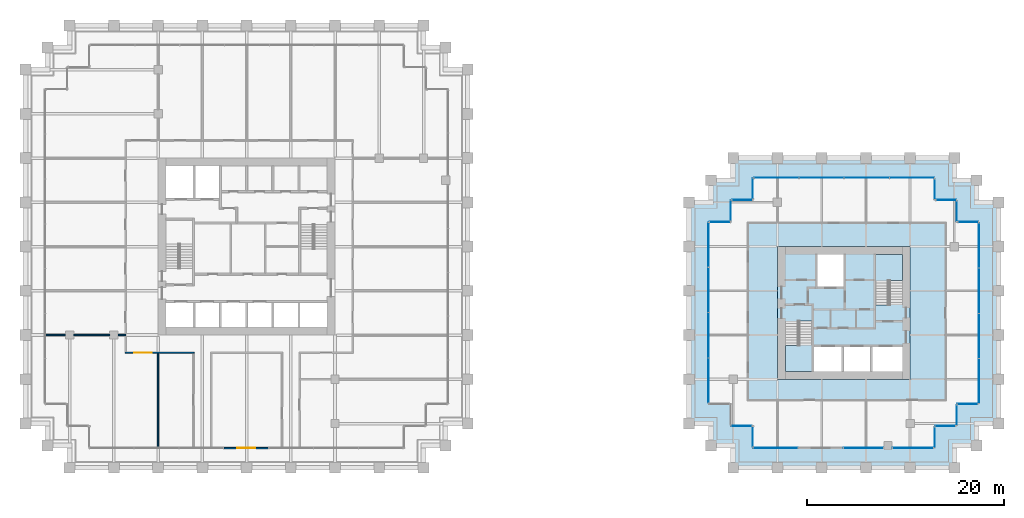
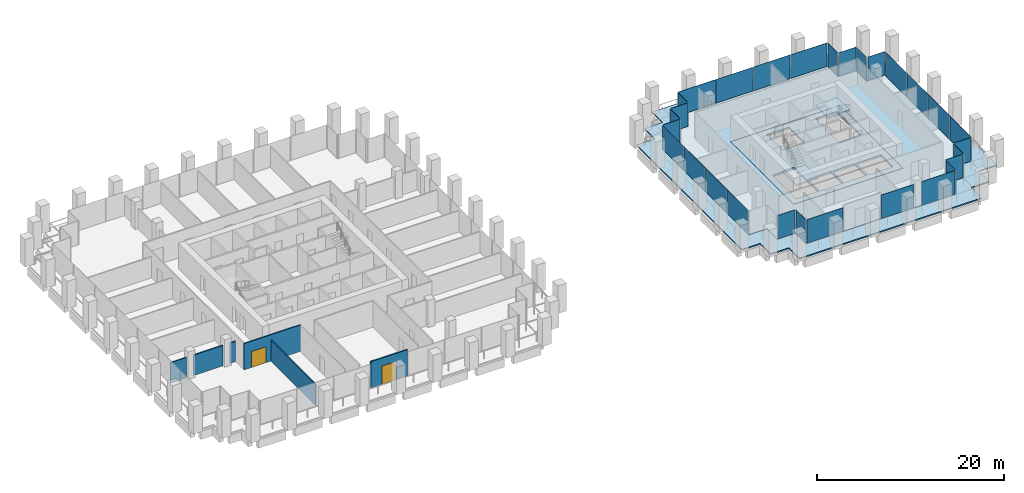
# One storey, part 49 of 56: 29 plates, 6 walls, 5 slabs, 2 doors, 2 openings, 22 elements without a shape of their own.
"""IFC4 building model written with IfcOpenShell, lengths in metres."""

from ifc_helpers import new_model, si_unit, direction, frame, frame_2d, origin, origin_2d, place, context, subcontext, project, spatial, polyline, rectangle, outline, extrude, material, layer, layer_set, type_object, element, fill, aggregate, save


model = new_model("IFC4")

# Units and contexts
model_context = context("Model", 3, precision=1e-05, world=origin(), true_north=direction((0.0, 1.0)))
body_context = subcontext(model_context, "Body", "Model", "MODEL_VIEW")
ifc_project = project(units=[si_unit("LENGTHUNIT", "METRE"), si_unit("AREAUNIT", "SQUARE_METRE"), si_unit("VOLUMEUNIT", "CUBIC_METRE"), si_unit("PLANEANGLEUNIT", "RADIAN"), si_unit("MASSUNIT", "GRAM", prefix="KILO")], contexts=[model_context])

# Site, building, storey
site_placement = place(None, origin())
site = spatial("IfcSite", under=ifc_project, at=site_placement, CompositionType="ELEMENT")
building_placement = place(site_placement, origin())
building = spatial("IfcBuilding", under=site, at=building_placement, Name="Altepetl Exchange Towers", CompositionType="ELEMENT")
storey_placement = place(building_placement, frame((0.0, 0.0, 72.60009765625)))
storey = spatial("IfcBuildingStorey", under=building, at=storey_placement, Name="L17", CompositionType="ELEMENT", Elevation=72.60009765625)

# Slabs
ifc_material_1 = material(Name="Concrete C40/50", Category="concrete")
ifc_layer_1 = layer(ifc_material_1, 0.14990234375)
ifc_layer_set_1 = layer_set([ifc_layer_1], Name="Concrete C40/50")
slab_type_1 = type_object("IfcSlabType", Name="Composite floor slab 150", PredefinedType="FLOOR", material=ifc_layer_set_1)
slab_1_placement = place(storey_placement, frame((0.0, 0.0, -0.150146484375)))
element("IfcSlab", 1, at=slab_1_placement, inside=storey, type_object=slab_type_1, Name="slab:B:L17:strip0", PredefinedType="FLOOR", context=body_context, shape_type="SweptSolid", body=[
    extrude(outline(polyline([(98.75, 54.25), (98.75, 52.0), (96.5, 52.0), (96.5, 33.5), (98.75, 33.5), (98.75, 31.25), (101.0, 31.25), (101.0, 29.0), (119.5, 29.0), (119.5, 31.25), (121.75, 31.25), (121.75, 33.5), (124.0, 33.5), (124.0, 52.0), (121.75, 52.0), (121.75, 54.25), (119.5, 54.25), (119.5, 56.5), (101.0, 56.5), (101.0, 54.25), (98.75, 54.25)]), holes=[polyline([(117.0, 49.5), (117.0, 36.0), (103.5, 36.0), (103.5, 49.5), (117.0, 49.5)])]), origin(), (0.0, 0.0, 1.0), 0.150146484375),
])
ifc_layer_2 = layer(ifc_material_1, 0.25)
ifc_layer_set_2 = layer_set([ifc_layer_2], Name="Concrete C40/50")
slab_type_2 = type_object("IfcSlabType", Name="Core floor slab 250", PredefinedType="FLOOR", material=ifc_layer_set_2)
slab_2_placement = place(storey_placement, frame((0.0, 0.0, -0.25)))
element("IfcSlab", 2, at=slab_2_placement, inside=storey, type_object=slab_type_2, Name="slab:B:L17:core0", PredefinedType="FLOOR", context=body_context, shape_type="SweptSolid", body=[
    extrude(outline(polyline([(103.5, 36.0), (117.0, 36.0), (117.0, 49.5), (103.5, 49.5), (103.5, 36.0)]), holes=[polyline([(107.199951171875, 36.800048828125), (107.199951171875, 39.300048828125), (110.032958984375, 39.300048828125), (110.032958984375, 36.800048828125), (107.199951171875, 36.800048828125)]), polyline([(110.23291015625, 39.300048828125), (112.967041015625, 39.300048828125), (112.967041015625, 36.800048828125), (110.23291015625, 36.800048828125), (110.23291015625, 39.300048828125)]), polyline([(113.1669921875, 39.300048828125), (116.199951171875, 39.300048828125), (116.199951171875, 36.800048828125), (113.1669921875, 36.800048828125), (113.1669921875, 39.300048828125)]), polyline([(107.0, 36.800048828125), (104.300048828125, 36.800048828125), (104.300048828125, 41.85009765625), (105.60009765625, 41.85009765625), (105.60009765625, 41.948974609375), (107.0, 41.948974609375), (107.0, 36.800048828125)]), polyline([(116.199951171875, 48.699951171875), (116.199951171875, 43.64990234375), (114.89990234375, 43.64990234375), (114.89990234375, 43.551025390625), (113.5, 43.551025390625), (113.5, 48.699951171875), (116.199951171875, 48.699951171875)]), polyline([(107.532958984375, 48.699951171875), (110.26708984375, 48.699951171875), (110.26708984375, 45.39990234375), (107.532958984375, 45.39990234375), (107.532958984375, 48.699951171875)])]), origin(), (0.0, 0.0, 1.0), 0.25),
])

# Curtain wall, plate
ifc_material_2 = material(Name="Aluminium 6063-T6 glazing", Category="aluminium")
curtain_wall_type = type_object("IfcCurtainWallType", Name="Loggia glazing system", PredefinedType="NOTDEFINED", material=ifc_material_2)
curtain_wall_1_placement = place(storey_placement, origin())
curtain_wall_1 = element("IfcCurtainWall", 3, at=curtain_wall_1_placement, inside=storey, type_object=curtain_wall_type, Name="CW1 run", PredefinedType="NOTDEFINED")
ifc_material_3 = material(Name="Glass 6-16-6 low emissivity", Category="glass")
ifc_layer_3 = layer(ifc_material_3, 0.028076171875)
ifc_layer_set_3 = layer_set([ifc_layer_3], Name="Glass 6-16-6 low emissivity")
plate_type = type_object("IfcPlateType", Name="Glass panel 28 double glazed", PredefinedType="CURTAIN_PANEL", material=ifc_layer_set_3)
plate_1_placement = place(storey_placement, frame((97.66259765625, 52.0, -0.000244140625), z_axis=(0.0, 0.0, 1.0), x_axis=(-1.0, 0.0, 0.0)))
plate_1 = element("IfcPlate", 4, at=plate_1_placement, type_object=plate_type, Name="GP1 panel", PredefinedType="CURTAIN_PANEL", context=body_context, shape_type="SweptSolid", body=[
    extrude(rectangle(XDim=2.054931640625, YDim=0.028076171875, at=origin_2d()), origin(), (0.0, 0.0, 1.0), 3.10009765625),
])
aggregate(curtain_wall_1, [plate_1])

# Curtain wall, plates
curtain_wall_2_placement = place(storey_placement, origin())
curtain_wall_2 = element("IfcCurtainWall", 5, at=curtain_wall_2_placement, inside=storey, type_object=curtain_wall_type, Name="CW1 run", PredefinedType="NOTDEFINED")
plate_2_placement = place(storey_placement, frame((96.5, 49.681884765625, -0.000244140625), z_axis=(0.0, 0.0, 1.0), x_axis=(0.0, -1.0, 0.0)))
plate_2 = element("IfcPlate", 6, at=plate_2_placement, type_object=plate_type, Name="GP1 panel", PredefinedType="CURTAIN_PANEL", context=body_context, shape_type="SweptSolid", body=[
    extrude(rectangle(XDim=4.516357421875, YDim=0.028076171875, at=origin_2d()), origin(), (0.0, 0.0, 1.0), 3.10009765625),
])
plate_3_placement = place(storey_placement, frame((96.5, 45.090576171875, -0.000244140625), z_axis=(0.0, 0.0, 1.0), x_axis=(0.0, -1.0, 0.0)))
plate_3 = element("IfcPlate", 7, at=plate_3_placement, type_object=plate_type, Name="GP1 panel", PredefinedType="CURTAIN_PANEL", context=body_context, shape_type="SweptSolid", body=[
    extrude(rectangle(XDim=4.546142578125, YDim=0.028076171875, at=origin_2d()), origin(), (0.0, 0.0, 1.0), 3.10009765625),
])
plate_4_placement = place(storey_placement, frame((96.5, 40.484375, -0.000244140625), z_axis=(0.0, 0.0, 1.0), x_axis=(0.0, -1.0, 0.0)))
plate_4 = element("IfcPlate", 8, at=plate_4_placement, type_object=plate_type, Name="GP1 panel", PredefinedType="CURTAIN_PANEL", context=body_context, shape_type="SweptSolid", body=[
    extrude(rectangle(XDim=4.546142578125, YDim=0.028076171875, at=origin_2d()), origin(), (0.0, 0.0, 1.0), 3.10009765625),
])
plate_5_placement = place(storey_placement, frame((96.5, 35.89306640625, -0.000244140625), z_axis=(0.0, 0.0, 1.0), x_axis=(0.0, -1.0, 0.0)))
plate_5 = element("IfcPlate", 9, at=plate_5_placement, type_object=plate_type, Name="GP1 panel", PredefinedType="CURTAIN_PANEL", context=body_context, shape_type="SweptSolid", body=[
    extrude(rectangle(XDim=4.516357421875, YDim=0.028076171875, at=origin_2d()), origin(), (0.0, 0.0, 1.0), 3.10009765625),
])
aggregate(curtain_wall_2, [plate_2, plate_3, plate_4, plate_5])

# Curtain wall, plate
curtain_wall_3_placement = place(storey_placement, origin())
curtain_wall_3 = element("IfcCurtainWall", 10, at=curtain_wall_3_placement, inside=storey, type_object=curtain_wall_type, Name="CW1 run", PredefinedType="NOTDEFINED")
plate_6_placement = place(storey_placement, frame((99.83740234375, 31.25, -0.000244140625)))
plate_6 = element("IfcPlate", 11, at=plate_6_placement, type_object=plate_type, Name="GP1 panel", PredefinedType="CURTAIN_PANEL", context=body_context, shape_type="SweptSolid", body=[
    extrude(rectangle(XDim=2.054931640625, YDim=0.028076171875, at=origin_2d()), origin(), (0.0, 0.0, 1.0), 3.10009765625),
])
aggregate(curtain_wall_3, [plate_6])

curtain_wall_4_placement = place(storey_placement, origin())
curtain_wall_4 = element("IfcCurtainWall", 12, at=curtain_wall_4_placement, inside=storey, type_object=curtain_wall_type, Name="CW1 run", PredefinedType="NOTDEFINED")
plate_7_placement = place(storey_placement, frame((101.0, 30.16259765625, -0.000244140625), z_axis=(0.0, 0.0, 1.0), x_axis=(0.0, -1.0, 0.0)))
plate_7 = element("IfcPlate", 13, at=plate_7_placement, type_object=plate_type, Name="GP1 panel", PredefinedType="CURTAIN_PANEL", context=body_context, shape_type="SweptSolid", body=[
    extrude(rectangle(XDim=2.054931640625, YDim=0.028076171875, at=origin_2d()), origin(), (0.0, 0.0, 1.0), 3.10009765625),
])
aggregate(curtain_wall_4, [plate_7])

curtain_wall_5_placement = place(storey_placement, origin())
curtain_wall_5 = element("IfcCurtainWall", 14, at=curtain_wall_5_placement, inside=storey, type_object=curtain_wall_type, Name="CW1 run", PredefinedType="NOTDEFINED")
plate_8_placement = place(storey_placement, frame((103.30322265625, 29.0, -0.000244140625)))
plate_8 = element("IfcPlate", 15, at=plate_8_placement, type_object=plate_type, Name="GP1 panel", PredefinedType="CURTAIN_PANEL", context=body_context, shape_type="SweptSolid", body=[
    extrude(rectangle(XDim=4.486328125, YDim=0.028076171875, at=origin_2d()), origin(), (0.0, 0.0, 1.0), 3.10009765625),
])
aggregate(curtain_wall_5, [plate_8])

curtain_wall_6_placement = place(storey_placement, origin())
curtain_wall_6 = element("IfcCurtainWall", 16, at=curtain_wall_6_placement, inside=storey, type_object=curtain_wall_type, Name="CW1 run", PredefinedType="NOTDEFINED")
plate_9_placement = place(storey_placement, frame((112.2587890625, 29.0, -0.000244140625)))
plate_9 = element("IfcPlate", 17, at=plate_9_placement, type_object=plate_type, Name="GP1 panel", PredefinedType="CURTAIN_PANEL", context=body_context, shape_type="SweptSolid", body=[
    extrude(rectangle(XDim=3.972412109375, YDim=0.028076171875, at=origin_2d()), origin(), (0.0, 0.0, 1.0), 3.10009765625),
])
aggregate(curtain_wall_6, [plate_9])

curtain_wall_7_placement = place(storey_placement, origin())
curtain_wall_7 = element("IfcCurtainWall", 18, at=curtain_wall_7_placement, inside=storey, type_object=curtain_wall_type, Name="CW1 run", PredefinedType="NOTDEFINED")
plate_10_placement = place(storey_placement, frame((117.31005859375, 29.0, -0.000244140625)))
plate_10 = element("IfcPlate", 19, at=plate_10_placement, type_object=plate_type, Name="GP1 panel", PredefinedType="CURTAIN_PANEL", context=body_context, shape_type="SweptSolid", body=[
    extrude(rectangle(XDim=4.110107421875, YDim=0.028076171875, at=origin_2d()), origin(), (0.0, 0.0, 1.0), 3.10009765625),
])
aggregate(curtain_wall_7, [plate_10])

curtain_wall_8_placement = place(storey_placement, origin())
curtain_wall_8 = element("IfcCurtainWall", 20, at=curtain_wall_8_placement, inside=storey, type_object=curtain_wall_type, Name="CW1 run", PredefinedType="NOTDEFINED")
plate_11_placement = place(storey_placement, frame((119.5, 30.08740234375, -0.000244140625), z_axis=(0.0, 0.0, 1.0), x_axis=(0.0, 1.0, 0.0)))
plate_11 = element("IfcPlate", 21, at=plate_11_placement, type_object=plate_type, Name="GP1 panel", PredefinedType="CURTAIN_PANEL", context=body_context, shape_type="SweptSolid", body=[
    extrude(rectangle(XDim=2.054931640625, YDim=0.028076171875, at=origin_2d()), origin(), (0.0, 0.0, 1.0), 3.10009765625),
])
aggregate(curtain_wall_8, [plate_11])

curtain_wall_9_placement = place(storey_placement, origin())
curtain_wall_9 = element("IfcCurtainWall", 22, at=curtain_wall_9_placement, inside=storey, type_object=curtain_wall_type, Name="CW1 run", PredefinedType="NOTDEFINED")
plate_12_placement = place(storey_placement, frame((120.58740234375, 31.25, -0.000244140625)))
plate_12 = element("IfcPlate", 23, at=plate_12_placement, type_object=plate_type, Name="GP1 panel", PredefinedType="CURTAIN_PANEL", context=body_context, shape_type="SweptSolid", body=[
    extrude(rectangle(XDim=2.054931640625, YDim=0.028076171875, at=origin_2d()), origin(), (0.0, 0.0, 1.0), 3.10009765625),
])
aggregate(curtain_wall_9, [plate_12])

curtain_wall_10_placement = place(storey_placement, origin())
curtain_wall_10 = element("IfcCurtainWall", 24, at=curtain_wall_10_placement, inside=storey, type_object=curtain_wall_type, Name="CW1 run", PredefinedType="NOTDEFINED")
plate_13_placement = place(storey_placement, frame((121.75, 32.33740234375, -0.000244140625), z_axis=(0.0, 0.0, 1.0), x_axis=(0.0, 1.0, 0.0)))
plate_13 = element("IfcPlate", 25, at=plate_13_placement, type_object=plate_type, Name="GP1 panel", PredefinedType="CURTAIN_PANEL", context=body_context, shape_type="SweptSolid", body=[
    extrude(rectangle(XDim=2.054931640625, YDim=0.028076171875, at=origin_2d()), origin(), (0.0, 0.0, 1.0), 3.10009765625),
])
aggregate(curtain_wall_10, [plate_13])

curtain_wall_11_placement = place(storey_placement, origin())
curtain_wall_11 = element("IfcCurtainWall", 26, at=curtain_wall_11_placement, inside=storey, type_object=curtain_wall_type, Name="CW1 run", PredefinedType="NOTDEFINED")
plate_14_placement = place(storey_placement, frame((122.83740234375, 33.5, -0.000244140625)))
plate_14 = element("IfcPlate", 27, at=plate_14_placement, type_object=plate_type, Name="GP1 panel", PredefinedType="CURTAIN_PANEL", context=body_context, shape_type="SweptSolid", body=[
    extrude(rectangle(XDim=2.054931640625, YDim=0.028076171875, at=origin_2d()), origin(), (0.0, 0.0, 1.0), 3.10009765625),
])
aggregate(curtain_wall_11, [plate_14])

# Curtain wall, plates
curtain_wall_12_placement = place(storey_placement, origin())
curtain_wall_12 = element("IfcCurtainWall", 28, at=curtain_wall_12_placement, inside=storey, type_object=curtain_wall_type, Name="CW1 run", PredefinedType="NOTDEFINED")
plate_15_placement = place(storey_placement, frame((124.0, 35.818115234375, -0.000244140625), z_axis=(0.0, 0.0, 1.0), x_axis=(0.0, 1.0, 0.0)))
plate_15 = element("IfcPlate", 29, at=plate_15_placement, type_object=plate_type, Name="GP1 panel", PredefinedType="CURTAIN_PANEL", context=body_context, shape_type="SweptSolid", body=[
    extrude(rectangle(XDim=4.516357421875, YDim=0.028076171875, at=origin_2d()), origin(), (0.0, 0.0, 1.0), 3.10009765625),
])
plate_16_placement = place(storey_placement, frame((124.0, 40.409423828125, -0.000244140625), z_axis=(0.0, 0.0, 1.0), x_axis=(0.0, 1.0, 0.0)))
plate_16 = element("IfcPlate", 30, at=plate_16_placement, type_object=plate_type, Name="GP1 panel", PredefinedType="CURTAIN_PANEL", context=body_context, shape_type="SweptSolid", body=[
    extrude(rectangle(XDim=4.546142578125, YDim=0.028076171875, at=origin_2d()), origin(), (0.0, 0.0, 1.0), 3.10009765625),
])
plate_17_placement = place(storey_placement, frame((124.0, 45.015625, -0.000244140625), z_axis=(0.0, 0.0, 1.0), x_axis=(0.0, 1.0, 0.0)))
plate_17 = element("IfcPlate", 31, at=plate_17_placement, type_object=plate_type, Name="GP1 panel", PredefinedType="CURTAIN_PANEL", context=body_context, shape_type="SweptSolid", body=[
    extrude(rectangle(XDim=4.546142578125, YDim=0.028076171875, at=origin_2d()), origin(), (0.0, 0.0, 1.0), 3.10009765625),
])
plate_18_placement = place(storey_placement, frame((124.0, 49.60693359375, -0.000244140625), z_axis=(0.0, 0.0, 1.0), x_axis=(0.0, 1.0, 0.0)))
plate_18 = element("IfcPlate", 32, at=plate_18_placement, type_object=plate_type, Name="GP1 panel", PredefinedType="CURTAIN_PANEL", context=body_context, shape_type="SweptSolid", body=[
    extrude(rectangle(XDim=4.516357421875, YDim=0.028076171875, at=origin_2d()), origin(), (0.0, 0.0, 1.0), 3.10009765625),
])
aggregate(curtain_wall_12, [plate_15, plate_16, plate_17, plate_18])

# Curtain wall, plate
curtain_wall_13_placement = place(storey_placement, origin())
curtain_wall_13 = element("IfcCurtainWall", 33, at=curtain_wall_13_placement, inside=storey, type_object=curtain_wall_type, Name="CW1 run", PredefinedType="NOTDEFINED")
plate_19_placement = place(storey_placement, frame((122.91259765625, 52.0, -0.000244140625), z_axis=(0.0, 0.0, 1.0), x_axis=(-1.0, 0.0, 0.0)))
plate_19 = element("IfcPlate", 34, at=plate_19_placement, type_object=plate_type, Name="GP1 panel", PredefinedType="CURTAIN_PANEL", context=body_context, shape_type="SweptSolid", body=[
    extrude(rectangle(XDim=2.054931640625, YDim=0.028076171875, at=origin_2d()), origin(), (0.0, 0.0, 1.0), 3.10009765625),
])
aggregate(curtain_wall_13, [plate_19])

curtain_wall_14_placement = place(storey_placement, origin())
curtain_wall_14 = element("IfcCurtainWall", 35, at=curtain_wall_14_placement, inside=storey, type_object=curtain_wall_type, Name="CW1 run", PredefinedType="NOTDEFINED")
plate_20_placement = place(storey_placement, frame((121.75, 53.08740234375, -0.000244140625), z_axis=(0.0, 0.0, 1.0), x_axis=(0.0, 1.0, 0.0)))
plate_20 = element("IfcPlate", 36, at=plate_20_placement, type_object=plate_type, Name="GP1 panel", PredefinedType="CURTAIN_PANEL", context=body_context, shape_type="SweptSolid", body=[
    extrude(rectangle(XDim=2.054931640625, YDim=0.028076171875, at=origin_2d()), origin(), (0.0, 0.0, 1.0), 3.10009765625),
])
aggregate(curtain_wall_14, [plate_20])

curtain_wall_15_placement = place(storey_placement, origin())
curtain_wall_15 = element("IfcCurtainWall", 37, at=curtain_wall_15_placement, inside=storey, type_object=curtain_wall_type, Name="CW1 run", PredefinedType="NOTDEFINED")
plate_21_placement = place(storey_placement, frame((120.66259765625, 54.25, -0.000244140625), z_axis=(0.0, 0.0, 1.0), x_axis=(-1.0, 0.0, 0.0)))
plate_21 = element("IfcPlate", 38, at=plate_21_placement, type_object=plate_type, Name="GP1 panel", PredefinedType="CURTAIN_PANEL", context=body_context, shape_type="SweptSolid", body=[
    extrude(rectangle(XDim=2.054931640625, YDim=0.028076171875, at=origin_2d()), origin(), (0.0, 0.0, 1.0), 3.10009765625),
])
aggregate(curtain_wall_15, [plate_21])

curtain_wall_16_placement = place(storey_placement, origin())
curtain_wall_16 = element("IfcCurtainWall", 39, at=curtain_wall_16_placement, inside=storey, type_object=curtain_wall_type, Name="CW1 run", PredefinedType="NOTDEFINED")
plate_22_placement = place(storey_placement, frame((119.5, 55.33740234375, -0.000244140625), z_axis=(0.0, 0.0, 1.0), x_axis=(0.0, 1.0, 0.0)))
plate_22 = element("IfcPlate", 40, at=plate_22_placement, type_object=plate_type, Name="GP1 panel", PredefinedType="CURTAIN_PANEL", context=body_context, shape_type="SweptSolid", body=[
    extrude(rectangle(XDim=2.054931640625, YDim=0.028076171875, at=origin_2d()), origin(), (0.0, 0.0, 1.0), 3.10009765625),
])
aggregate(curtain_wall_16, [plate_22])

# Curtain wall, plates
curtain_wall_17_placement = place(storey_placement, origin())
curtain_wall_17 = element("IfcCurtainWall", 41, at=curtain_wall_17_placement, inside=storey, type_object=curtain_wall_type, Name="CW1 run", PredefinedType="NOTDEFINED")
plate_23_placement = place(storey_placement, frame((117.181884765625, 56.5, -0.000244140625), z_axis=(0.0, 0.0, 1.0), x_axis=(-1.0, 0.0, 0.0)))
plate_23 = element("IfcPlate", 42, at=plate_23_placement, type_object=plate_type, Name="GP1 panel", PredefinedType="CURTAIN_PANEL", context=body_context, shape_type="SweptSolid", body=[
    extrude(rectangle(XDim=4.516357421875, YDim=0.028076171875, at=origin_2d()), origin(), (0.0, 0.0, 1.0), 3.10009765625),
])
plate_24_placement = place(storey_placement, frame((112.590576171875, 56.5, -0.000244140625), z_axis=(0.0, 0.0, 1.0), x_axis=(-1.0, 0.0, 0.0)))
plate_24 = element("IfcPlate", 43, at=plate_24_placement, type_object=plate_type, Name="GP1 panel", PredefinedType="CURTAIN_PANEL", context=body_context, shape_type="SweptSolid", body=[
    extrude(rectangle(XDim=4.546142578125, YDim=0.028076171875, at=origin_2d()), origin(), (0.0, 0.0, 1.0), 3.10009765625),
])
plate_25_placement = place(storey_placement, frame((107.984375, 56.5, -0.000244140625), z_axis=(0.0, 0.0, 1.0), x_axis=(-1.0, 0.0, 0.0)))
plate_25 = element("IfcPlate", 44, at=plate_25_placement, type_object=plate_type, Name="GP1 panel", PredefinedType="CURTAIN_PANEL", context=body_context, shape_type="SweptSolid", body=[
    extrude(rectangle(XDim=4.546142578125, YDim=0.028076171875, at=origin_2d()), origin(), (0.0, 0.0, 1.0), 3.10009765625),
])
plate_26_placement = place(storey_placement, frame((103.39306640625, 56.5, -0.000244140625), z_axis=(0.0, 0.0, 1.0), x_axis=(-1.0, 0.0, 0.0)))
plate_26 = element("IfcPlate", 45, at=plate_26_placement, type_object=plate_type, Name="GP1 panel", PredefinedType="CURTAIN_PANEL", context=body_context, shape_type="SweptSolid", body=[
    extrude(rectangle(XDim=4.516357421875, YDim=0.028076171875, at=origin_2d()), origin(), (0.0, 0.0, 1.0), 3.10009765625),
])
aggregate(curtain_wall_17, [plate_23, plate_24, plate_25, plate_26])

# Curtain wall, plate
curtain_wall_18_placement = place(storey_placement, origin())
curtain_wall_18 = element("IfcCurtainWall", 46, at=curtain_wall_18_placement, inside=storey, type_object=curtain_wall_type, Name="CW1 run", PredefinedType="NOTDEFINED")
plate_27_placement = place(storey_placement, frame((101.0, 55.41259765625, -0.000244140625), z_axis=(0.0, 0.0, 1.0), x_axis=(0.0, -1.0, 0.0)))
plate_27 = element("IfcPlate", 47, at=plate_27_placement, type_object=plate_type, Name="GP1 panel", PredefinedType="CURTAIN_PANEL", context=body_context, shape_type="SweptSolid", body=[
    extrude(rectangle(XDim=2.054931640625, YDim=0.028076171875, at=origin_2d()), origin(), (0.0, 0.0, 1.0), 3.10009765625),
])
aggregate(curtain_wall_18, [plate_27])

curtain_wall_19_placement = place(storey_placement, origin())
curtain_wall_19 = element("IfcCurtainWall", 48, at=curtain_wall_19_placement, inside=storey, type_object=curtain_wall_type, Name="CW1 run", PredefinedType="NOTDEFINED")
plate_28_placement = place(storey_placement, frame((99.91259765625, 54.25, -0.000244140625), z_axis=(0.0, 0.0, 1.0), x_axis=(-1.0, 0.0, 0.0)))
plate_28 = element("IfcPlate", 49, at=plate_28_placement, type_object=plate_type, Name="GP1 panel", PredefinedType="CURTAIN_PANEL", context=body_context, shape_type="SweptSolid", body=[
    extrude(rectangle(XDim=2.054931640625, YDim=0.028076171875, at=origin_2d()), origin(), (0.0, 0.0, 1.0), 3.10009765625),
])
aggregate(curtain_wall_19, [plate_28])

curtain_wall_20_placement = place(storey_placement, origin())
curtain_wall_20 = element("IfcCurtainWall", 50, at=curtain_wall_20_placement, inside=storey, type_object=curtain_wall_type, Name="CW1 run", PredefinedType="NOTDEFINED")
plate_29_placement = place(storey_placement, frame((98.75, 53.16259765625, -0.000244140625), z_axis=(0.0, 0.0, 1.0), x_axis=(0.0, -1.0, 0.0)))
plate_29 = element("IfcPlate", 51, at=plate_29_placement, type_object=plate_type, Name="GP1 panel", PredefinedType="CURTAIN_PANEL", context=body_context, shape_type="SweptSolid", body=[
    extrude(rectangle(XDim=2.054931640625, YDim=0.028076171875, at=origin_2d()), origin(), (0.0, 0.0, 1.0), 3.10009765625),
])
aggregate(curtain_wall_20, [plate_29])

# Slab
ifc_layer_4 = layer(ifc_material_1, 0.14990234375)
ifc_layer_set_4 = layer_set([ifc_layer_4], Name="Concrete C40/50")
slab_type_3 = type_object("IfcSlabType", Name="Loggia slab 150", PredefinedType="FLOOR", material=ifc_layer_set_4)
slab_3_placement = place(storey_placement, frame((0.0, 0.0, -0.150146484375)))
element("IfcSlab", 52, at=slab_3_placement, inside=storey, type_object=slab_type_3, Name="slab:B:L17:loggia0", PredefinedType="FLOOR", context=body_context, shape_type="SweptSolid", body=[
    extrude(outline(polyline([(96.75, 54.0), (94.5, 54.0), (94.5, 36.0), (94.5, 31.5), (96.75, 31.5), (96.75, 29.25), (99.0, 29.25), (99.0, 27.0), (117.0, 27.0), (121.5, 27.0), (121.5, 29.25), (123.75, 29.25), (123.75, 31.5), (126.0, 31.5), (126.0, 49.5), (126.0, 54.0), (123.75, 54.0), (123.75, 56.25), (121.5, 56.25), (121.5, 58.5), (103.5, 58.5), (99.0, 58.5), (99.0, 56.25), (96.75, 56.25), (96.75, 54.0)]), holes=[polyline([(96.5, 52.0), (98.75, 52.0), (98.75, 54.25), (101.0, 54.25), (101.0, 56.5), (119.5, 56.5), (119.5, 54.25), (121.75, 54.25), (121.75, 52.0), (124.0, 52.0), (124.0, 33.5), (121.75, 33.5), (121.75, 31.25), (119.5, 31.25), (119.5, 29.0), (101.0, 29.0), (101.0, 31.25), (98.75, 31.25), (98.75, 33.5), (96.5, 33.5), (96.5, 52.0)])]), origin(), (0.0, 0.0, 1.0), 0.150146484375),
])

# Stair, slab
stair_type = type_object("IfcStairType", Name="Exit stair 1300 flights dogleg", PredefinedType="HALF_TURN_STAIR", material=ifc_material_1)
stair_1_placement = place(storey_placement, origin())
stair_1 = element("IfcStair", 53, at=stair_1_placement, inside=storey, type_object=stair_type, Name="Exit stair 1", PredefinedType="HALF_TURN_STAIR")
ifc_layer_5 = layer(ifc_material_1, 0.199951171875)
ifc_layer_set_5 = layer_set([ifc_layer_5], Name="Concrete C40/50")
slab_type_4 = type_object("IfcSlabType", Name="Stair landing 200 reinforced concrete", PredefinedType="LANDING", material=ifc_layer_set_5)
slab_4_placement = place(storey_placement, frame((0.0, 0.0, 1.599853515625)))
slab_4 = element("IfcSlab", 54, at=slab_4_placement, type_object=slab_type_4, Name="ST-B1c landing 1", PredefinedType="LANDING", context=body_context, shape_type="SweptSolid", body=[
    extrude(outline(polyline([(107.0, 36.800048828125), (104.300048828125, 36.800048828125), (104.300048828125, 39.429931640625), (104.300048828125, 39.4306640625), (105.60009765625, 39.4306640625), (105.60009765625, 39.429931640625), (105.699951171875, 39.429931640625), (105.699951171875, 39.530029296875), (107.0, 39.530029296875), (107.0, 39.429931640625), (107.0, 36.800048828125)])), origin(), (0.0, 0.0, 1.0), 0.199951171875),
])
aggregate(stair_1, [slab_4])

stair_2_placement = place(storey_placement, origin())
stair_2 = element("IfcStair", 55, at=stair_2_placement, inside=storey, type_object=stair_type, Name="Exit stair 2", PredefinedType="HALF_TURN_STAIR")
slab_5_placement = place(storey_placement, frame((0.0, 0.0, 1.599853515625)))
slab_5 = element("IfcSlab", 56, at=slab_5_placement, type_object=slab_type_4, Name="ST-B2c landing 1", PredefinedType="LANDING", context=body_context, shape_type="SweptSolid", body=[
    extrude(outline(polyline([(114.800048828125, 45.969970703125), (113.5, 45.969970703125), (113.5, 46.070068359375), (113.5, 48.699951171875), (116.199951171875, 48.699951171875), (116.199951171875, 46.070068359375), (116.199951171875, 46.0693359375), (114.89990234375, 46.0693359375), (114.89990234375, 46.070068359375), (114.800048828125, 46.070068359375), (114.800048828125, 45.969970703125)])), origin(), (0.0, 0.0, 1.0), 0.199951171875),
])
aggregate(stair_2, [slab_5])

# Wall, opening, door
ifc_material_4 = material(Name="Aluminium composite cladding", Category="aluminium")
ifc_layer_6 = layer(ifc_material_4, 0.14990234375)
ifc_layer_set_6 = layer_set([ifc_layer_6], Name="Aluminium composite cladding")
wall_type_1 = type_object("IfcWallType", Name="Infill wall 150 aluminium panel", PredefinedType="SOLIDWALL", material=ifc_layer_set_6)
wall_1_placement = place(storey_placement, frame((47.18212890625, 29.0, 0.0)))
wall_1 = element("IfcWall", 57, at=wall_1_placement, inside=storey, type_object=wall_type_1, Name="Loggia door bay wall", PredefinedType="SOLIDWALL", context=body_context, shape_type="SweptSolid", body=[
    extrude(rectangle(XDim=4.560791015625, YDim=0.14990234375, at=frame_2d((2.2802734375, 0.0))), origin(), (0.0, 0.0, 1.0), 3.449951171875),
])
opening_1_placement = place(wall_1_placement, frame((1.38037109375, 0.0, 0.0)))
opening_1 = element("IfcOpeningElement", 58, at=opening_1_placement, cuts=wall_1, Name="Opening L17.A90", PredefinedType="OPENING", context=body_context, shape_type="SweptSolid", body=[
    extrude(rectangle(XDim=1.800048828125, YDim=2.39990234375, at=frame_2d((0.89990234375, 1.199951171875))), frame((0.0, 0.0849609375, 0.0), z_axis=(0.0, -1.0, 0.0), x_axis=(1.0, 0.0, 0.0)), (0.0, 0.0, 1.0), 0.169921875),
])
ifc_material_5 = material(Name="Aluminium 6063-T6 and glass", Category="aluminium")
door_type_1 = type_object("IfcDoorType", Name="Glazed door pair 1800x2400", OperationType="DOUBLE_DOOR_DOUBLE_SWING", PredefinedType="NOTDEFINED", material=ifc_material_5)
door_1_placement = place(opening_1_placement, frame((1.800048828125, 0.0, 0.0), x_axis=(-1.0, 0.0, 0.0)))
door_1 = element("IfcDoor", 59, at=door_1_placement, inside=storey, type_object=door_type_1, Name="Loggia door", OperationType="DOUBLE_DOOR_DOUBLE_SWING", OverallHeight=2.39990234375, OverallWidth=1.800048828125, PredefinedType="NOTDEFINED", context=body_context, shape_type="SweptSolid", body=[
    extrude(rectangle(XDim=1.800048828125, YDim=2.39990234375, at=frame_2d((0.89990234375, 1.199951171875))), frame((0.0, 0.02490234375, 0.0), z_axis=(0.0, -1.0, 0.0), x_axis=(1.0, 0.0, 0.0)), (0.0, 0.0, 1.0), 0.050048828125),
])
fill(opening_1, door_1)

ifc_material_6 = material(Name="Gypsum board on steel studs", Category="steel")
ifc_layer_7 = layer(ifc_material_6, 0.125)
ifc_layer_set_7 = layer_set([ifc_layer_7], Name="Gypsum board on steel studs")
wall_type_2 = type_object("IfcWallType", Name="Partition 125 gypsum board on steel studs", PredefinedType="PARTITIONING", material=ifc_layer_set_7)
wall_2_placement = place(storey_placement, frame((37.137451171875, 38.699951171875, 0.0)))
wall_2 = element("IfcWall", 60, at=wall_2_placement, inside=storey, type_object=wall_type_2, Name="wall:A:L17:P03", PredefinedType="PARTITIONING", context=body_context, shape_type="SweptSolid", body=[
    extrude(rectangle(XDim=7.025146484375, YDim=0.125, at=frame_2d((3.5126953125, 0.0))), origin(), (0.0, 0.0, 1.0), 3.449951171875),
])
opening_2_placement = place(wall_2_placement, frame((0.91748046875, 0.0, 0.0)))
opening_2 = element("IfcOpeningElement", 61, at=opening_2_placement, cuts=wall_2, Name="Opening L17.A03", PredefinedType="OPENING", context=body_context, shape_type="SweptSolid", body=[
    extrude(rectangle(XDim=1.800048828125, YDim=2.10009765625, at=frame_2d((0.89990234375, 1.050048828125))), frame((0.0, 0.072509765625, 0.0), z_axis=(0.0, -1.0, 0.0), x_axis=(1.0, 0.0, 0.0)), (0.0, 0.0, 1.0), 0.14501953125),
])
ifc_material_7 = material(Name="Steel and timber fire door", Category="steel")
door_type_2 = type_object("IfcDoorType", Name="Fire door 1800 x 2100 double leaf", OperationType="DOUBLE_DOOR_SINGLE_SWING", PredefinedType="DOOR", material=ifc_material_7)
door_2_placement = place(opening_2_placement, frame((1.800048828125, 0.0, 0.0), x_axis=(-1.0, 0.0, 0.0)))
door_2 = element("IfcDoor", 62, at=door_2_placement, inside=storey, type_object=door_type_2, Name="door:A:L17:03", OperationType="DOUBLE_DOOR_SINGLE_SWING", OverallHeight=2.10009765625, OverallWidth=1.800048828125, PredefinedType="DOOR", context=body_context, shape_type="SweptSolid", body=[
    extrude(rectangle(XDim=1.800048828125, YDim=2.10009765625, at=frame_2d((0.89990234375, 1.050048828125))), frame((0.0, 0.02490234375, 0.0), z_axis=(0.0, -1.0, 0.0), x_axis=(1.0, 0.0, 0.0)), (0.0, 0.0, 1.0), 0.050048828125),
])
fill(opening_2, door_2)

# Walls
wall_3_placement = place(storey_placement, frame((29.10009765625, 40.5, 0.0)))
element("IfcWall", 63, at=wall_3_placement, inside=storey, type_object=wall_type_2, Name="wall:A:L17:P06", PredefinedType="PARTITIONING", context=body_context, shape_type="SweptSolid", body=[
    extrude(rectangle(XDim=1.974853515625, YDim=0.125, at=frame_2d((0.9873046875, 0.0))), origin(), (0.0, 0.0, 1.0), 2.67578125),
])
wall_4_placement = place(storey_placement, frame((31.925048828125, 40.5, 0.0)))
element("IfcWall", 64, at=wall_4_placement, inside=storey, type_object=wall_type_2, Name="wall:A:L17:P07", PredefinedType="PARTITIONING", context=body_context, shape_type="SweptSolid", body=[
    extrude(rectangle(XDim=3.64990234375, YDim=0.125, at=frame_2d((1.824951171875, 0.0))), origin(), (0.0, 0.0, 1.0), 2.67578125),
])
wall_5_placement = place(storey_placement, frame((36.425048828125, 40.5, 0.0)))
element("IfcWall", 65, at=wall_5_placement, inside=storey, type_object=wall_type_2, Name="wall:A:L17:P08", PredefinedType="PARTITIONING", context=body_context, shape_type="SweptSolid", body=[
    extrude(rectangle(XDim=0.77490234375, YDim=0.125, at=frame_2d((0.387451171875, 0.0))), origin(), (0.0, 0.0, 1.0), 2.67578125),
])
wall_6_placement = place(storey_placement, frame((40.5, 29.10009765625, 0.0), z_axis=(0.0, 0.0, 1.0), x_axis=(0.0, 1.0, 0.0)))
element("IfcWall", 66, at=wall_6_placement, inside=storey, type_object=wall_type_2, Name="wall:A:L17:P22", PredefinedType="PARTITIONING", context=body_context, shape_type="SweptSolid", body=[
    extrude(rectangle(XDim=9.599853515625, YDim=0.125, at=frame_2d((4.7998046875, 0.0))), origin(), (0.0, 0.0, 1.0), 2.765869140625),
])

save(model, "model.ifc")
